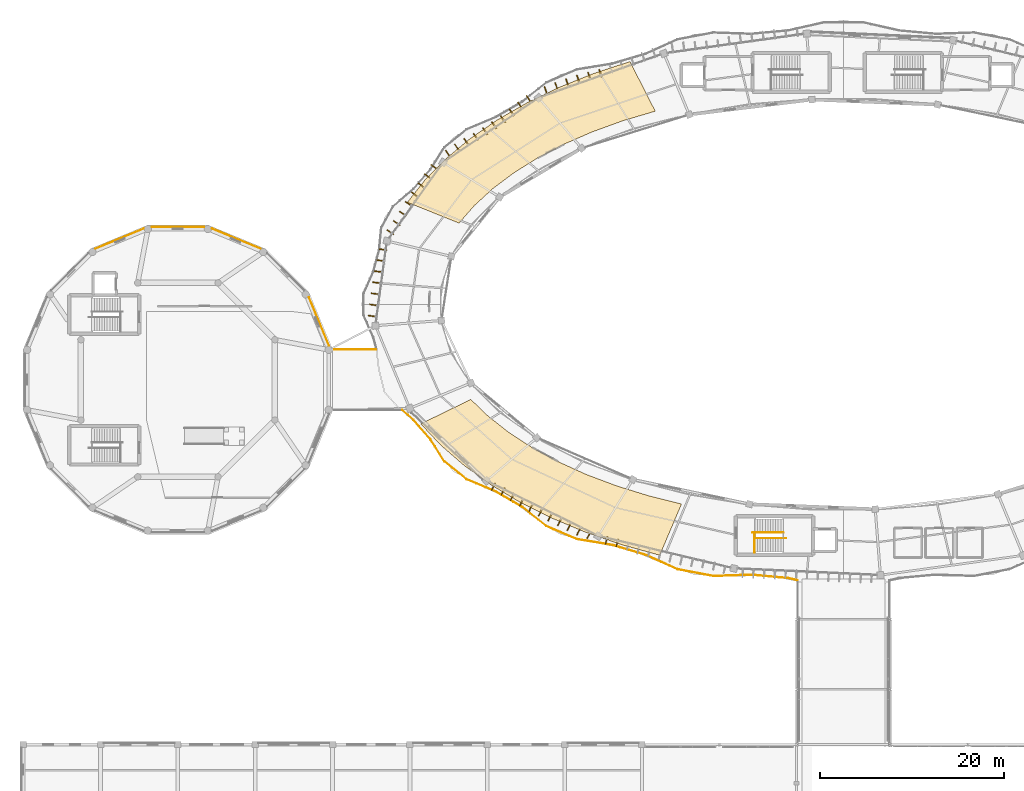
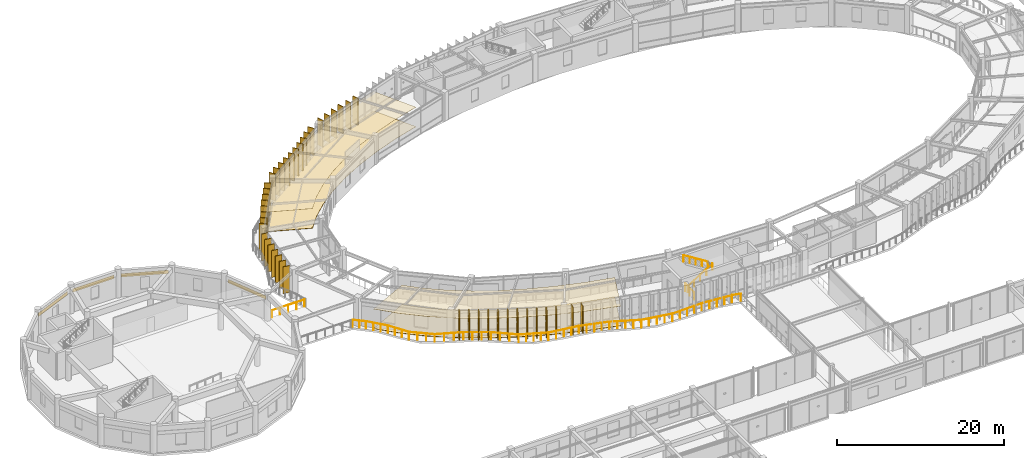
# One storey, part 143 of 152: 44 shading devices, 8 coverings, 5 railings.
"""IFC4 building model written with IfcOpenShell, lengths in metres."""

from ifc_helpers import new_model, si_unit, direction, frame, origin, origin_2d, place, context, subcontext, project, spatial, polyline, rectangle, circle, outline, extrude, material, layer, layer_set, type_object, element, save


model = new_model("IFC4")

# Units and contexts
model_context = context("Model", 3, precision=1e-05, world=origin(), true_north=direction((0.0, 1.0)))
body_context = subcontext(model_context, "Body", "Model", "MODEL_VIEW")
ifc_project = project(units=[si_unit("LENGTHUNIT", "METRE"), si_unit("AREAUNIT", "SQUARE_METRE"), si_unit("VOLUMEUNIT", "CUBIC_METRE"), si_unit("PLANEANGLEUNIT", "RADIAN"), si_unit("MASSUNIT", "GRAM", prefix="KILO"), si_unit("THERMODYNAMICTEMPERATUREUNIT", "KELVIN"), si_unit("POWERUNIT", "WATT")], contexts=[model_context])

# Site, building, storey
site_placement = place(None, origin())
site = spatial("IfcSite", under=ifc_project, at=site_placement, CompositionType="ELEMENT")
building_placement = place(site_placement, origin())
building = spatial("IfcBuilding", under=site, at=building_placement, Name="Darbajah Civic Hall", CompositionType="ELEMENT")
storey_placement = place(building_placement, frame((0.0, 0.0, 5.39990234375)))
storey = spatial("IfcBuildingStorey", under=building, at=storey_placement, Name="L01", CompositionType="ELEMENT", Elevation=5.39990234375)

# Railings
ifc_material_1 = material(Name="Brushed Bronze Stainless Steel", Category="steel")
railing_type_1 = type_object("IfcRailingType", Name="Brushed Bronze Handrail", PredefinedType="HANDRAIL", material=ifc_material_1)
railing_1_placement = place(storey_placement, frame((79.47998046875, 64.39990234375, 0.175048828125)))
element("IfcRailing", 1, at=railing_1_placement, inside=storey, type_object=railing_type_1, Name="ST03 L01 lower flight handrail", PredefinedType="HANDRAIL", context=body_context, shape_type="SweptSolid", body=[
    extrude(circle(Radius=0.02392578125, at=origin_2d()), frame((0.023193359375, 0.0, 0.910400390625), z_axis=(0.845944288966, 0.0, 0.533271281775), x_axis=(0.0, 1.0, 0.0)), (0.0, 0.0, 1.0), 3.91748046875),
    extrude(circle(Radius=0.02099609375, at=origin_2d()), origin(), (0.0, 0.0, 1.0), 0.867919921875),
    extrude(circle(Radius=0.02099609375, at=origin_2d()), frame((0.840087890625, 0.0, 0.529541015625)), (0.0, 0.0, 1.0), 0.867919921875),
    extrude(circle(Radius=0.02099609375, at=origin_2d()), frame((1.68017578125, 0.0, 1.05908203125)), (0.0, 0.0, 1.0), 0.867919921875),
    extrude(circle(Radius=0.02099609375, at=origin_2d()), frame((2.52001953125, 0.0, 1.588623046875)), (0.0, 0.0, 1.0), 0.867919921875),
    extrude(circle(Radius=0.02099609375, at=origin_2d()), frame((3.360107421875, 0.0, 2.1181640625)), (0.0, 0.0, 1.0), 0.867919921875),
])
railing_2_placement = place(storey_placement, frame((82.56005859375, 65.0, 2.275146484375)))
element("IfcRailing", 2, at=railing_2_placement, inside=storey, type_object=railing_type_1, Name="ST03 L01 upper flight handrail", PredefinedType="HANDRAIL", context=body_context, shape_type="SweptSolid", body=[
    extrude(circle(Radius=0.02392578125, at=origin_2d()), frame((-0.023193359375, 0.0, 0.910400390625), z_axis=(-0.845944288966, 0.0, 0.533271281775), x_axis=(0.0, -1.0, 0.0)), (0.0, 0.0, 1.0), 3.91748046875),
    extrude(circle(Radius=0.02099609375, at=origin_2d()), origin(), (0.0, 0.0, 1.0), 0.867919921875),
    extrude(circle(Radius=0.02099609375, at=origin_2d()), frame((-0.840087890625, 0.0, 0.529541015625)), (0.0, 0.0, 1.0), 0.867919921875),
    extrude(circle(Radius=0.02099609375, at=origin_2d()), frame((-1.68017578125, 0.0, 1.05908203125)), (0.0, 0.0, 1.0), 0.867919921875),
    extrude(circle(Radius=0.02099609375, at=origin_2d()), frame((-2.52001953125, 0.0, 1.588623046875)), (0.0, 0.0, 1.0), 0.867919921875),
    extrude(circle(Radius=0.02099609375, at=origin_2d()), frame((-3.360107421875, 0.0, 2.1181640625)), (0.0, 0.0, 1.0), 0.867919921875),
])
ifc_material_2 = material(Name="Anodised Bronze Aluminium and Laminated Safety Glass", Category="aluminium")
railing_type_2 = type_object("IfcRailingType", Name="Exterior Terrace Balustrade Guard", PredefinedType="BALUSTRADE", material=ifc_material_2)
railing_3_placement = place(storey_placement, frame((41.157470703125, 78.320068359375, 0.0)))
element("IfcRailing", 3, at=railing_3_placement, inside=storey, type_object=railing_type_2, Name="L01 oval slab edge balustrade 1", PredefinedType="BALUSTRADE", context=body_context, shape_type="SweptSolid", body=[
    extrude(circle(Radius=0.02392578125, at=origin_2d()), frame((0.0205078125, -0.017822265625, 1.09619140625), z_axis=(0.755298476399, -0.655380966728, 0.0), x_axis=(0.655380966728, 0.755298476399, 0.0)), (0.0, 0.0, 1.0), 1.5751953125),
    extrude(circle(Radius=0.02392578125, at=origin_2d()), frame((1.2490234375, -1.088623046875, 1.09619140625), z_axis=(0.658765117222, -0.752348669389, 0.0), x_axis=(0.752348669389, 0.658765117222, 0.0)), (0.0, 0.0, 1.0), 2.731689453125),
    extrude(circle(Radius=0.02392578125, at=origin_2d()), frame((3.0810546875, -3.1875, 1.09619140625), z_axis=(0.533407833029, -0.84585819359, 0.0), x_axis=(0.84585819359, 0.533407833029, 0.0)), (0.0, 0.0, 1.0), 2.787353515625),
    extrude(circle(Radius=0.02392578125, at=origin_2d()), frame((4.603515625, -5.585205078125, 1.09619140625), z_axis=(0.777536569392, -0.628837724105, 0.0), x_axis=(0.628837724105, 0.777536569392, 0.0)), (0.0, 0.0, 1.0), 3.04345703125),
    extrude(circle(Radius=0.02392578125, at=origin_2d()), frame((7.016357421875, -7.52685546875, 1.09619140625), z_axis=(0.921421401931, -0.388564795194, 0.0), x_axis=(0.388564795194, 0.921421401931, 0.0)), (0.0, 0.0, 1.0), 3.405517578125),
    extrude(circle(Radius=0.02392578125, at=origin_2d()), frame((10.203125, -8.87451171875, 1.09619140625), z_axis=(0.864437033864, -0.50274110085, 0.0), x_axis=(0.50274110085, 0.864437033864, 0.0)), (0.0, 0.0, 1.0), 3.25146484375),
    extrude(circle(Radius=0.02392578125, at=origin_2d()), frame((13.058837890625, -10.5400390625, 1.09619140625), z_axis=(0.78294312647, -0.622093289398, 0.0), x_axis=(0.622093289398, 0.78294312647, 0.0)), (0.0, 0.0, 1.0), 3.302734375),
    extrude(circle(Radius=0.02392578125, at=origin_2d()), frame((15.691162109375, -12.622314453125, 1.09619140625), z_axis=(0.919827076972, -0.39232403504, 0.0), x_axis=(0.39232403504, 0.919827076972, 0.0)), (0.0, 0.0, 1.0), 3.548583984375),
    extrude(circle(Radius=0.02392578125, at=origin_2d()), frame((19.007080078125, -14.029541015625, 1.09619140625), z_axis=(0.986794176756, -0.161979173722, 0.0), x_axis=(0.161979173722, 0.986794176756, 0.0)), (0.0, 0.0, 1.0), 3.840087890625),
    extrude(circle(Radius=0.02392578125, at=origin_2d()), frame((22.849609375, -14.663818359375, 1.09619140625), z_axis=(0.958876172483, -0.283824744949, 0.0), x_axis=(0.283824744949, 0.958876172483, 0.0)), (0.0, 0.0, 1.0), 3.698486328125),
    extrude(circle(Radius=0.02392578125, at=origin_2d()), frame((26.447021484375, -15.732421875, 1.09619140625), z_axis=(0.911677379063, -0.410906749159, 0.0), x_axis=(0.410906749159, 0.911677379063, 0.0)), (0.0, 0.0, 1.0), 3.76513671875),
    extrude(circle(Radius=0.02392578125, at=origin_2d()), frame((29.931396484375, -17.2958984375, 1.09619140625), z_axis=(0.982331016823, -0.187151738938, 0.0), x_axis=(0.187151738938, 0.982331016823, 0.0)), (0.0, 0.0, 1.0), 3.908447265625),
    extrude(circle(Radius=0.02392578125, at=origin_2d()), frame((33.824951171875, -18.031494140625, 1.09619140625), z_axis=(0.999393340922, 0.034827433442, 0.0), x_axis=(-0.034827433442, 0.999393340922, 0.0)), (0.0, 0.0, 1.0), 4.0673828125),
    extrude(circle(Radius=0.02392578125, at=origin_2d()), frame((37.944091796875, -17.891357421875, 1.09619140625), z_axis=(0.995805753739, -0.091492627135, 0.0), x_axis=(0.091492627135, 0.995805753739, 0.0)), (0.0, 0.0, 1.0), 3.947998046875),
    extrude(circle(Radius=0.02392578125, at=origin_2d()), frame((41.929443359375, -18.26123046875, 1.09619140625), z_axis=(0.975548355346, -0.219784909359, 0.0), x_axis=(0.219784909359, 0.975548355346, 0.0)), (0.0, 0.0, 1.0), 1.03173828125),
    extrude(circle(Radius=0.02099609375, at=origin_2d()), origin(), (0.0, 0.0, 1.0), 1.068115234375),
    extrude(circle(Radius=0.02099609375, at=origin_2d()), frame((0.615478515625, -0.5341796875, 0.0)), (0.0, 0.0, 1.0), 1.068115234375),
    extrude(circle(Radius=0.02099609375, at=origin_2d()), frame((1.23095703125, -1.068115234375, 0.0)), (0.0, 0.0, 1.0), 1.068115234375),
    extrude(circle(Radius=0.02099609375, at=origin_2d()), frame((1.8427734375, -1.766845703125, 0.0)), (0.0, 0.0, 1.0), 1.068115234375),
    extrude(circle(Radius=0.02099609375, at=origin_2d()), frame((2.45458984375, -2.465576171875, 0.0)), (0.0, 0.0, 1.0), 1.068115234375),
    extrude(circle(Radius=0.02099609375, at=origin_2d()), frame((3.06640625, -3.164306640625, 0.0)), (0.0, 0.0, 1.0), 1.068115234375),
    extrude(circle(Radius=0.02099609375, at=origin_2d()), frame((3.57177734375, -3.965576171875, 0.0)), (0.0, 0.0, 1.0), 1.068115234375),
    extrude(circle(Radius=0.02099609375, at=origin_2d()), frame((4.076904296875, -4.766845703125, 0.0)), (0.0, 0.0, 1.0), 1.068115234375),
    extrude(circle(Radius=0.02099609375, at=origin_2d()), frame((4.582275390625, -5.568115234375, 0.0)), (0.0, 0.0, 1.0), 1.068115234375),
    extrude(circle(Radius=0.02099609375, at=origin_2d()), frame((5.38525390625, -6.217529296875, 0.0)), (0.0, 0.0, 1.0), 1.068115234375),
    extrude(circle(Radius=0.02099609375, at=origin_2d()), frame((6.188232421875, -6.866943359375, 0.0)), (0.0, 0.0, 1.0), 1.068115234375),
    extrude(circle(Radius=0.02099609375, at=origin_2d()), frame((6.9912109375, -7.516357421875, 0.0)), (0.0, 0.0, 1.0), 1.068115234375),
    extrude(circle(Radius=0.02099609375, at=origin_2d()), frame((8.053955078125, -7.964599609375, 0.0)), (0.0, 0.0, 1.0), 1.068115234375),
    extrude(circle(Radius=0.02099609375, at=origin_2d()), frame((9.11669921875, -8.41259765625, 0.0)), (0.0, 0.0, 1.0), 1.068115234375),
    extrude(circle(Radius=0.02099609375, at=origin_2d()), frame((10.179443359375, -8.86083984375, 0.0)), (0.0, 0.0, 1.0), 1.068115234375),
    extrude(circle(Radius=0.02099609375, at=origin_2d()), frame((11.132080078125, -9.414794921875, 0.0)), (0.0, 0.0, 1.0), 1.068115234375),
    extrude(circle(Radius=0.02099609375, at=origin_2d()), frame((12.084716796875, -9.968994140625, 0.0)), (0.0, 0.0, 1.0), 1.068115234375),
    extrude(circle(Radius=0.02099609375, at=origin_2d()), frame((13.037353515625, -10.52294921875, 0.0)), (0.0, 0.0, 1.0), 1.068115234375),
    extrude(circle(Radius=0.02099609375, at=origin_2d()), frame((13.91357421875, -11.21923828125, 0.0)), (0.0, 0.0, 1.0), 1.068115234375),
    extrude(circle(Radius=0.02099609375, at=origin_2d()), frame((14.789794921875, -11.915283203125, 0.0)), (0.0, 0.0, 1.0), 1.068115234375),
    extrude(circle(Radius=0.02099609375, at=origin_2d()), frame((15.666015625, -12.611572265625, 0.0)), (0.0, 0.0, 1.0), 1.068115234375),
    extrude(circle(Radius=0.02099609375, at=origin_2d()), frame((16.49462890625, -12.96484375, 0.0)), (0.0, 0.0, 1.0), 1.068115234375),
    extrude(circle(Radius=0.02099609375, at=origin_2d()), frame((17.3232421875, -13.318359375, 0.0)), (0.0, 0.0, 1.0), 1.068115234375),
    extrude(circle(Radius=0.02099609375, at=origin_2d()), frame((18.151611328125, -13.671875, 0.0)), (0.0, 0.0, 1.0), 1.068115234375),
    extrude(circle(Radius=0.02099609375, at=origin_2d()), frame((18.980224609375, -14.025146484375, 0.0)), (0.0, 0.0, 1.0), 1.068115234375),
    extrude(circle(Radius=0.02099609375, at=origin_2d()), frame((19.94091796875, -14.182861328125, 0.0)), (0.0, 0.0, 1.0), 1.068115234375),
    extrude(circle(Radius=0.02099609375, at=origin_2d()), frame((20.90185546875, -14.340576171875, 0.0)), (0.0, 0.0, 1.0), 1.068115234375),
    extrude(circle(Radius=0.02099609375, at=origin_2d()), frame((21.86279296875, -14.498291015625, 0.0)), (0.0, 0.0, 1.0), 1.068115234375),
    extrude(circle(Radius=0.02099609375, at=origin_2d()), frame((22.823486328125, -14.656005859375, 0.0)), (0.0, 0.0, 1.0), 1.068115234375),
    extrude(circle(Radius=0.02099609375, at=origin_2d()), frame((23.72314453125, -14.92236328125, 0.0)), (0.0, 0.0, 1.0), 1.068115234375),
    extrude(circle(Radius=0.02099609375, at=origin_2d()), frame((24.622802734375, -15.1884765625, 0.0)), (0.0, 0.0, 1.0), 1.068115234375),
    extrude(circle(Radius=0.02099609375, at=origin_2d()), frame((25.5224609375, -15.454833984375, 0.0)), (0.0, 0.0, 1.0), 1.068115234375),
    extrude(circle(Radius=0.02099609375, at=origin_2d()), frame((26.422119140625, -15.72119140625, 0.0)), (0.0, 0.0, 1.0), 1.068115234375),
    extrude(circle(Radius=0.02099609375, at=origin_2d()), frame((27.292724609375, -16.113525390625, 0.0)), (0.0, 0.0, 1.0), 1.068115234375),
    extrude(circle(Radius=0.02099609375, at=origin_2d()), frame((28.163330078125, -16.505859375, 0.0)), (0.0, 0.0, 1.0), 1.068115234375),
    extrude(circle(Radius=0.02099609375, at=origin_2d()), frame((29.033935546875, -16.8984375, 0.0)), (0.0, 0.0, 1.0), 1.068115234375),
    extrude(circle(Radius=0.02099609375, at=origin_2d()), frame((29.904541015625, -17.290771484375, 0.0)), (0.0, 0.0, 1.0), 1.068115234375),
    extrude(circle(Radius=0.02099609375, at=origin_2d()), frame((30.8779296875, -17.47607421875, 0.0)), (0.0, 0.0, 1.0), 1.068115234375),
    extrude(circle(Radius=0.02099609375, at=origin_2d()), frame((31.85107421875, -17.66162109375, 0.0)), (0.0, 0.0, 1.0), 1.068115234375),
    extrude(circle(Radius=0.02099609375, at=origin_2d()), frame((32.82421875, -17.84716796875, 0.0)), (0.0, 0.0, 1.0), 1.068115234375),
    extrude(circle(Radius=0.02099609375, at=origin_2d()), frame((33.797607421875, -18.032470703125, 0.0)), (0.0, 0.0, 1.0), 1.068115234375),
    extrude(circle(Radius=0.02099609375, at=origin_2d()), frame((34.827392578125, -17.99658203125, 0.0)), (0.0, 0.0, 1.0), 1.068115234375),
    extrude(circle(Radius=0.02099609375, at=origin_2d()), frame((35.857421875, -17.960693359375, 0.0)), (0.0, 0.0, 1.0), 1.068115234375),
    extrude(circle(Radius=0.02099609375, at=origin_2d()), frame((36.88720703125, -17.9248046875, 0.0)), (0.0, 0.0, 1.0), 1.068115234375),
    extrude(circle(Radius=0.02099609375, at=origin_2d()), frame((37.9169921875, -17.888916015625, 0.0)), (0.0, 0.0, 1.0), 1.068115234375),
    extrude(circle(Radius=0.02099609375, at=origin_2d()), frame((38.91357421875, -17.98046875, 0.0)), (0.0, 0.0, 1.0), 1.068115234375),
    extrude(circle(Radius=0.02099609375, at=origin_2d()), frame((39.909912109375, -18.072021484375, 0.0)), (0.0, 0.0, 1.0), 1.068115234375),
    extrude(circle(Radius=0.02099609375, at=origin_2d()), frame((40.90625, -18.16357421875, 0.0)), (0.0, 0.0, 1.0), 1.068115234375),
    extrude(circle(Radius=0.02099609375, at=origin_2d()), frame((41.90283203125, -18.255126953125, 0.0)), (0.0, 0.0, 1.0), 1.068115234375),
    extrude(circle(Radius=0.02099609375, at=origin_2d()), frame((42.962646484375, -18.493896484375, 0.0)), (0.0, 0.0, 1.0), 1.068115234375),
])
railing_4_placement = place(storey_placement, frame((33.78662109375, 84.8798828125, 0.0)))
element("IfcRailing", 4, at=railing_4_placement, inside=storey, type_object=railing_type_2, Name="L01 West link walk north guard", PredefinedType="BALUSTRADE", context=body_context, shape_type="SweptSolid", body=[
    extrude(circle(Radius=0.02392578125, at=origin_2d()), frame((0.02734375, 0.0, 1.09619140625), z_axis=(1.0, 0.0, 0.0), x_axis=(0.0, 1.0, 0.0)), (0.0, 0.0, 1.0), 4.45751953125),
    extrude(circle(Radius=0.02099609375, at=origin_2d()), origin(), (0.0, 0.0, 1.0), 1.068115234375),
    extrude(circle(Radius=0.02099609375, at=origin_2d()), frame((1.1279296875, 0.0, 0.0)), (0.0, 0.0, 1.0), 1.068115234375),
    extrude(circle(Radius=0.02099609375, at=origin_2d()), frame((2.256103515625, 0.0, 0.0)), (0.0, 0.0, 1.0), 1.068115234375),
    extrude(circle(Radius=0.02099609375, at=origin_2d()), frame((3.38427734375, 0.0, 0.0)), (0.0, 0.0, 1.0), 1.068115234375),
    extrude(circle(Radius=0.02099609375, at=origin_2d()), frame((4.51220703125, 0.0, 0.0)), (0.0, 0.0, 1.0), 1.068115234375),
])

# Coverings
ifc_material_3 = material(Name="Honed Qatari Limestone Terrazzo", Category="masonry")
ifc_layer_1 = layer(ifc_material_3, 0.030029296875, Name="Honed Qatari Limestone Terrazzo")
ifc_layer_set_1 = layer_set([ifc_layer_1], Name="Honed Qatari Limestone Terrazzo")
covering_type_1 = type_object("IfcCoveringType", Name="Honed Qatari Limestone Terrazzo Flooring", PredefinedType="FLOORING", material=ifc_layer_set_1)
covering_1_placement = place(storey_placement, origin())
element("IfcCovering", 5, at=covering_1_placement, inside=storey, type_object=covering_type_1, Name="L01 stone terrazzo flooring L01-V1-04", PredefinedType="FLOORING", context=body_context, shape_type="SweptSolid", body=[
    extrude(outline(polyline([(65.901123046875, 116.173828125), (61.926513671875, 114.867919921875), (58.16943359375, 113.36181640625), (54.65966796875, 111.6669921875), (51.425048828125, 109.797607421875), (48.491943359375, 107.76806640625), (45.88330078125, 105.594970703125), (43.620361328125, 103.295654296875), (41.720947265625, 100.888427734375), (47.330322265625, 98.6220703125), (49.0048828125, 100.537109375), (51.0, 102.36669921875), (53.2998046875, 104.095458984375), (55.8857421875, 105.710205078125), (58.7373046875, 107.197509765625), (61.83154296875, 108.5458984375), (65.143798828125, 109.744384765625), (68.647705078125, 110.783203125), (65.901123046875, 116.173828125)])), origin(), (0.0, 0.0, 1.0), 0.030029296875),
])
covering_2_placement = place(storey_placement, origin())
element("IfcCovering", 6, at=covering_2_placement, inside=storey, type_object=covering_type_1, Name="L01 stone terrazzo flooring L01-V1-06", PredefinedType="FLOORING", context=body_context, shape_type="SweptSolid", body=[
    extrude(outline(polyline([(43.171630859375, 76.82421875), (45.356201171875, 74.49951171875), (47.890625, 72.297119140625), (50.754638671875, 70.23486328125), (53.925048828125, 68.328857421875), (57.376708984375, 66.5947265625), (61.082275390625, 65.0458984375), (65.01171875, 63.695068359375), (69.133544921875, 62.552978515625), (71.49755859375, 68.1220703125), (67.863525390625, 69.03076171875), (64.3994140625, 70.10546875), (61.1328125, 71.337646484375), (58.089599609375, 72.71728515625), (55.29443359375, 74.23388671875), (52.769775390625, 75.874755859375), (50.535400390625, 77.626708984375), (48.609375, 79.476318359375), (43.171630859375, 76.82421875)])), origin(), (0.0, 0.0, 1.0), 0.030029296875),
])

# Railing
ifc_material_4 = material(Name="Brushed Bronze and Laminated Safety Glass", Category="glass")
railing_type_3 = type_object("IfcRailingType", Name="Interior Guard Balustrade", PredefinedType="BALUSTRADE", material=ifc_material_4)
railing_5_placement = place(storey_placement, frame((79.429931640625, 62.85009765625, 0.0)))
element("IfcRailing", 7, at=railing_5_placement, inside=storey, type_object=railing_type_3, Name="ST03 L01 stair-well edge guard", PredefinedType="BALUSTRADE", context=body_context, shape_type="SweptSolid", body=[
    extrude(circle(Radius=0.02392578125, at=origin_2d()), frame((0.0, 0.02734375, 1.09619140625), z_axis=(0.0, 1.0, 0.0), x_axis=(-1.0, 0.0, 0.0)), (0.0, 0.0, 1.0), 2.09521484375),
    extrude(circle(Radius=0.02099609375, at=origin_2d()), origin(), (0.0, 0.0, 1.0), 1.068115234375),
    extrude(circle(Radius=0.02099609375, at=origin_2d()), frame((0.0, 1.074951171875, 0.0)), (0.0, 0.0, 1.0), 1.068115234375),
    extrude(circle(Radius=0.02099609375, at=origin_2d()), frame((0.0, 2.14990234375, 0.0)), (0.0, 0.0, 1.0), 1.068115234375),
])

# Coverings
ifc_material_5 = material(Name="Qatari Desert Limestone Ashlar", Category="masonry")
ifc_layer_2 = layer(ifc_material_5, 0.044921875, Name="Qatari Desert Limestone Ashlar")
ifc_layer_set_2 = layer_set([ifc_layer_2], Name="Qatari Desert Limestone Ashlar")
covering_type_2 = type_object("IfcCoveringType", Name="Limestone Facade Cladding", PredefinedType="CLADDING", material=ifc_layer_set_2)
covering_3_placement = place(storey_placement, frame((0.0, 0.0, 2.630126953125)))
element("IfcCovering", 8, at=covering_3_placement, inside=storey, type_object=covering_type_2, Name="L01 stone frieze cladding EW-V2-L01-00", PredefinedType="CLADDING", context=body_context, shape_type="SweptSolid", body=[
    extrude(outline(polyline([(33.20166015625, 85.30224609375), (31.015625, 90.579833984375), (31.05712890625, 90.596923828125), (33.243408203125, 85.319580078125), (33.20166015625, 85.30224609375)])), origin(), (0.0, 0.0, 1.0), 0.5),
])
covering_4_placement = place(storey_placement, frame((0.0, 0.0, 2.630126953125)))
element("IfcCovering", 9, at=covering_4_placement, inside=storey, type_object=covering_type_2, Name="L01 stone frieze cladding EW-V2-L01-02", PredefinedType="CLADDING", context=body_context, shape_type="SweptSolid", body=[
    extrude(outline(polyline([(25.77978515625, 95.815673828125), (20.502197265625, 98.001708984375), (20.51953125, 98.043212890625), (25.797119140625, 95.857177734375), (25.77978515625, 95.815673828125)])), origin(), (0.0, 0.0, 1.0), 0.5),
])
covering_5_placement = place(storey_placement, frame((0.0, 0.0, 2.630126953125)))
element("IfcCovering", 10, at=covering_5_placement, inside=storey, type_object=covering_type_2, Name="L01 stone frieze cladding EW-V2-L01-03", PredefinedType="CLADDING", context=body_context, shape_type="SweptSolid", body=[
    extrude(outline(polyline([(19.65625, 98.169921875), (13.94384765625, 98.169921875), (13.94384765625, 98.215087890625), (19.65625, 98.215087890625), (19.65625, 98.169921875)])), origin(), (0.0, 0.0, 1.0), 0.5),
])
covering_6_placement = place(storey_placement, frame((0.0, 0.0, 2.630126953125)))
element("IfcCovering", 11, at=covering_6_placement, inside=storey, type_object=covering_type_2, Name="L01 stone frieze cladding EW-V2-L01-04", PredefinedType="CLADDING", context=body_context, shape_type="SweptSolid", body=[
    extrude(outline(polyline([(13.09765625, 98.001708984375), (7.8203125, 95.815673828125), (7.802978515625, 95.857177734375), (13.08056640625, 98.043212890625), (13.09765625, 98.001708984375)])), origin(), (0.0, 0.0, 1.0), 0.5),
])
ifc_material_6 = material(Name="Perforated Acoustic Gypsum Board")
ifc_layer_3 = layer(ifc_material_6, 0.02490234375, Name="Perforated Acoustic Gypsum Board")
ifc_layer_set_3 = layer_set([ifc_layer_3], Name="Perforated Acoustic Gypsum Board")
covering_type_3 = type_object("IfcCoveringType", Name="Perforated Acoustic Gypsum Ceiling", PredefinedType="CEILING", material=ifc_layer_set_3)
covering_7_placement = place(storey_placement, frame((0.0, 0.0, 2.85009765625)))
element("IfcCovering", 12, at=covering_7_placement, inside=storey, type_object=covering_type_3, Name="L01 acoustic suspended ceiling L01-V1-04", PredefinedType="CEILING", context=body_context, shape_type="SweptSolid", body=[
    extrude(outline(polyline([(65.901123046875, 116.173828125), (61.926513671875, 114.867919921875), (58.16943359375, 113.36181640625), (54.65966796875, 111.6669921875), (51.425048828125, 109.797607421875), (48.491943359375, 107.76806640625), (45.88330078125, 105.594970703125), (43.620361328125, 103.295654296875), (41.720947265625, 100.888427734375), (47.330322265625, 98.6220703125), (49.0048828125, 100.537109375), (51.0, 102.36669921875), (53.2998046875, 104.095458984375), (55.8857421875, 105.710205078125), (58.7373046875, 107.197509765625), (61.83154296875, 108.5458984375), (65.143798828125, 109.744384765625), (68.647705078125, 110.783203125), (65.901123046875, 116.173828125)])), origin(), (0.0, 0.0, 1.0), 0.02490234375),
])
covering_8_placement = place(storey_placement, frame((0.0, 0.0, 2.85009765625)))
element("IfcCovering", 13, at=covering_8_placement, inside=storey, type_object=covering_type_3, Name="L01 acoustic suspended ceiling L01-V1-06", PredefinedType="CEILING", context=body_context, shape_type="SweptSolid", body=[
    extrude(outline(polyline([(43.171630859375, 76.82421875), (45.356201171875, 74.49951171875), (47.890625, 72.297119140625), (50.754638671875, 70.23486328125), (53.925048828125, 68.328857421875), (57.376708984375, 66.5947265625), (61.082275390625, 65.0458984375), (65.01171875, 63.695068359375), (69.133544921875, 62.552978515625), (71.49755859375, 68.1220703125), (67.863525390625, 69.03076171875), (64.3994140625, 70.10546875), (61.1328125, 71.337646484375), (58.089599609375, 72.71728515625), (55.29443359375, 74.23388671875), (52.769775390625, 75.874755859375), (50.535400390625, 77.626708984375), (48.609375, 79.476318359375), (43.171630859375, 76.82421875)])), origin(), (0.0, 0.0, 1.0), 0.02490234375),
])

# Shading devices
ifc_material_7 = material(Name="Bronze Anodised Aluminium and Teak Composite", Category="aluminium")
shading_device_type = type_object("IfcShadingDeviceType", Name="Vertical Bronze Timber Shading Fin", PredefinedType="USERDEFINED", material=ifc_material_7)
for number, where, z_axis, x_axis, name in (
    (14, (62.68798828125, 114.90478515625, 0.000244140625), (0.0, 0.0, 1.0), (-0.334135882844, 0.94252491309, 0.0), "L01 vertical shading fin VF-06-6"),
    (15, (61.47705078125, 114.598388671875, 0.000244140625), (0.0, 0.0, 1.0), (-0.334135882844, 0.94252491309, 0.0), "L01 vertical shading fin VF-06-7"),
    (16, (60.26416015625, 114.297607421875, 0.000244140625), (0.0, 0.0, 1.0), (-0.334135882844, 0.94252491309, 0.0), "L01 vertical shading fin VF-06-8"),
    (17, (59.091796875, 113.882080078125, 0.000244140625), (0.0, 0.0, 1.0), (-0.334135882844, 0.94252491309, 0.0), "L01 vertical shading fin VF-06-9"),
    (18, (57.919677734375, 113.466552734375, 0.000244140625), (0.0, 0.0, 1.0), (-0.334135882844, 0.94252491309, 0.0), "L01 vertical shading fin VF-06-10"),
    (19, (56.74755859375, 113.05126953125, 0.000244140625), (0.0, 0.0, 1.0), (-0.334135882844, 0.94252491309, 0.0), "L01 vertical shading fin VF-06-11"),
    (20, (54.890380859375, 112.1171875, 0.000244140625), (0.0, 0.0, 1.0), (-0.560783509816, 0.827962472047, 0.0), "L01 vertical shading fin VF-07-1"),
    (21, (53.939453125, 111.423583984375, 0.000244140625), (0.0, 0.0, 1.0), (-0.560783509816, 0.827962472047, 0.0), "L01 vertical shading fin VF-07-2"),
    (22, (53.03466796875, 110.662109375, 0.000244140625), (0.0, 0.0, 1.0), (-0.560783509816, 0.827962472047, 0.0), "L01 vertical shading fin VF-07-3"),
    (23, (52.1083984375, 109.93212890625, 0.000244140625), (0.0, 0.0, 1.0), (-0.560783509816, 0.827962472047, 0.0), "L01 vertical shading fin VF-07-4"),
    (24, (51.135009765625, 109.27197265625, 0.000244140625), (0.0, 0.0, 1.0), (-0.560783509816, 0.827962472047, 0.0), "L01 vertical shading fin VF-07-5"),
    (25, (50.160888671875, 108.61328125, 0.000244140625), (0.0, 0.0, 1.0), (-0.560783509816, 0.827962472047, 0.0), "L01 vertical shading fin VF-07-6"),
    (26, (49.143798828125, 108.017333984375, 0.000244140625), (0.0, 0.0, 1.0), (-0.560783509816, 0.827962472047, 0.0), "L01 vertical shading fin VF-07-7"),
    (27, (48.111083984375, 107.44482421875, 0.000244140625), (0.0, 0.0, 1.0), (-0.560783509816, 0.827962472047, 0.0), "L01 vertical shading fin VF-07-8"),
    (28, (47.099609375, 106.8408203125, 0.000244140625), (0.0, 0.0, 1.0), (-0.560783509816, 0.827962472047, 0.0), "L01 vertical shading fin VF-07-9"),
    (29, (46.12548828125, 106.181396484375, 0.000244140625), (0.0, 0.0, 1.0), (-0.560783509816, 0.827962472047, 0.0), "L01 vertical shading fin VF-07-10"),
    (30, (44.623046875, 104.71240234375, 0.000244140625), (0.0, 0.0, 1.0), (-0.812999149039, 0.582264874145, 0.0), "L01 vertical shading fin VF-08-1"),
    (31, (43.91455078125, 103.72314453125, 0.000244140625), (0.0, 0.0, 1.0), (-0.812999149039, 0.582264874145, 0.0), "L01 vertical shading fin VF-08-2"),
    (32, (43.206298828125, 102.73388671875, 0.000244140625), (0.0, 0.0, 1.0), (-0.812999149039, 0.582264874145, 0.0), "L01 vertical shading fin VF-08-3"),
    (33, (42.497802734375, 101.74462890625, 0.000244140625), (0.0, 0.0, 1.0), (-0.812999149039, 0.582264874145, 0.0), "L01 vertical shading fin VF-08-4"),
    (34, (41.859375, 100.705078125, 0.000244140625), (0.0, 0.0, 1.0), (-0.812999149039, 0.582264874145, 0.0), "L01 vertical shading fin VF-08-5"),
    (35, (41.23486328125, 99.656005859375, 0.000244140625), (0.0, 0.0, 1.0), (-0.812999149039, 0.582264874145, 0.0), "L01 vertical shading fin VF-08-6"),
    (36, (40.57568359375, 98.63134765625, 0.000244140625), (0.0, 0.0, 1.0), (-0.812999149039, 0.582264874145, 0.0), "L01 vertical shading fin VF-08-7"),
    (37, (39.867431640625, 97.64208984375, 0.000244140625), (0.0, 0.0, 1.0), (-0.812999149039, 0.582264874145, 0.0), "L01 vertical shading fin VF-08-8"),
    (38, (39.06982421875, 95.750732421875, 0.000244140625), (0.0, 0.0, 1.0), (-0.990865897387, 0.134850930274, 0.0), "L01 vertical shading fin VF-09-1"),
    (39, (38.802490234375, 94.55712890625, 0.000244140625), (0.0, 0.0, 1.0), (-0.990865897387, 0.134850930274, 0.0), "L01 vertical shading fin VF-09-2"),
    (40, (38.537109375, 93.36328125, 0.000244140625), (0.0, 0.0, 1.0), (-0.990865897387, 0.134850930274, 0.0), "L01 vertical shading fin VF-09-3"),
    (41, (38.372802734375, 92.155517578125, 0.000244140625), (0.0, 0.0, 1.0), (-0.990865897387, 0.134850930274, 0.0), "L01 vertical shading fin VF-09-4"),
    (42, (38.20849609375, 90.94775390625, 0.000244140625), (0.0, 0.0, 1.0), (-0.990865897387, 0.134850930274, 0.0), "L01 vertical shading fin VF-09-5"),
    (43, (38.044189453125, 89.739990234375, 0.000244140625), (0.0, 0.0, 1.0), (-0.990865897387, 0.134850930274, 0.0), "L01 vertical shading fin VF-09-6"),
    (44, (37.8798828125, 88.532470703125, 0.000244140625), (0.0, 0.0, 1.0), (-0.990865897387, 0.134850930274, 0.0), "L01 vertical shading fin VF-09-7"),
    (45, (51.060791015625, 69.9794921875, 0.000244140625), (0.0, 0.0, 1.0), (-0.442914717678, -0.89656374724, 0.0), "L01 vertical shading fin VF-12-1"),
    (46, (52.09814453125, 69.456298828125, 0.000244140625), (0.0, 0.0, 1.0), (-0.442914717678, -0.89656374724, 0.0), "L01 vertical shading fin VF-12-2"),
    (47, (53.103515625, 68.86865234375, 0.000244140625), (0.0, 0.0, 1.0), (-0.442914717678, -0.89656374724, 0.0), "L01 vertical shading fin VF-12-3"),
    (48, (54.094970703125, 68.252685546875, 0.000244140625), (0.0, 0.0, 1.0), (-0.442914717678, -0.89656374724, 0.0), "L01 vertical shading fin VF-12-4"),
    (49, (55.1162109375, 67.697021484375, 0.000244140625), (0.0, 0.0, 1.0), (-0.442914717678, -0.89656374724, 0.0), "L01 vertical shading fin VF-12-5"),
    (50, (56.15771484375, 67.1826171875, 0.000244140625), (0.0, 0.0, 1.0), (-0.442914717678, -0.89656374724, 0.0), "L01 vertical shading fin VF-12-6"),
    (51, (57.199462890625, 66.66796875, 0.000244140625), (0.0, 0.0, 1.0), (-0.442914717678, -0.89656374724, 0.0), "L01 vertical shading fin VF-12-7"),
    (52, (58.240966796875, 66.1533203125, 0.000244140625), (0.0, 0.0, 1.0), (-0.442914717678, -0.89656374724, 0.0), "L01 vertical shading fin VF-12-8"),
    (53, (59.28271484375, 65.638916015625, 0.000244140625), (0.0, 0.0, 1.0), (-0.442914717678, -0.89656374724, 0.0), "L01 vertical shading fin VF-12-9"),
    (54, (60.327392578125, 65.131103515625, 0.000244140625), (0.0, 0.0, 1.0), (-0.442914717678, -0.89656374724, 0.0), "L01 vertical shading fin VF-12-10"),
    (55, (61.431396484375, 64.74267578125, 0.000244140625), (0.0, 0.0, 1.0), (-0.442914717678, -0.89656374724, 0.0), "L01 vertical shading fin VF-12-11"),
    (56, (63.341064453125, 64.16162109375, 0.000244140625), (0.0, 0.0, 1.0), (-0.232936200179, -0.972492018808, 0.0), "L01 vertical shading fin VF-13-1"),
    (57, (64.508544921875, 63.882080078125, 0.000244140625), (0.0, 0.0, 1.0), (-0.232936200179, -0.972492018808, 0.0), "L01 vertical shading fin VF-13-2"),
):
    element("IfcShadingDevice", number, at=place(storey_placement, frame(where, z_axis=z_axis, x_axis=x_axis)), inside=storey, type_object=shading_device_type, Name=name, ObjectType="VERTICAL FIN", PredefinedType="USERDEFINED", context=body_context, shape_type="SweptSolid", body=[
        extrude(rectangle(XDim=0.85009765625, YDim=0.090087890625, at=origin_2d()), origin(), (0.0, 0.0, 1.0), 3.919921875),
    ])

save(model, "model.ifc")
